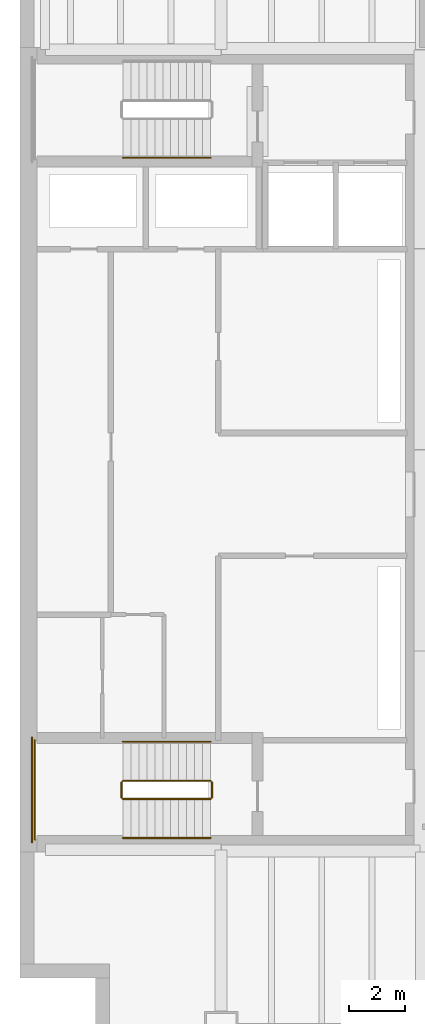
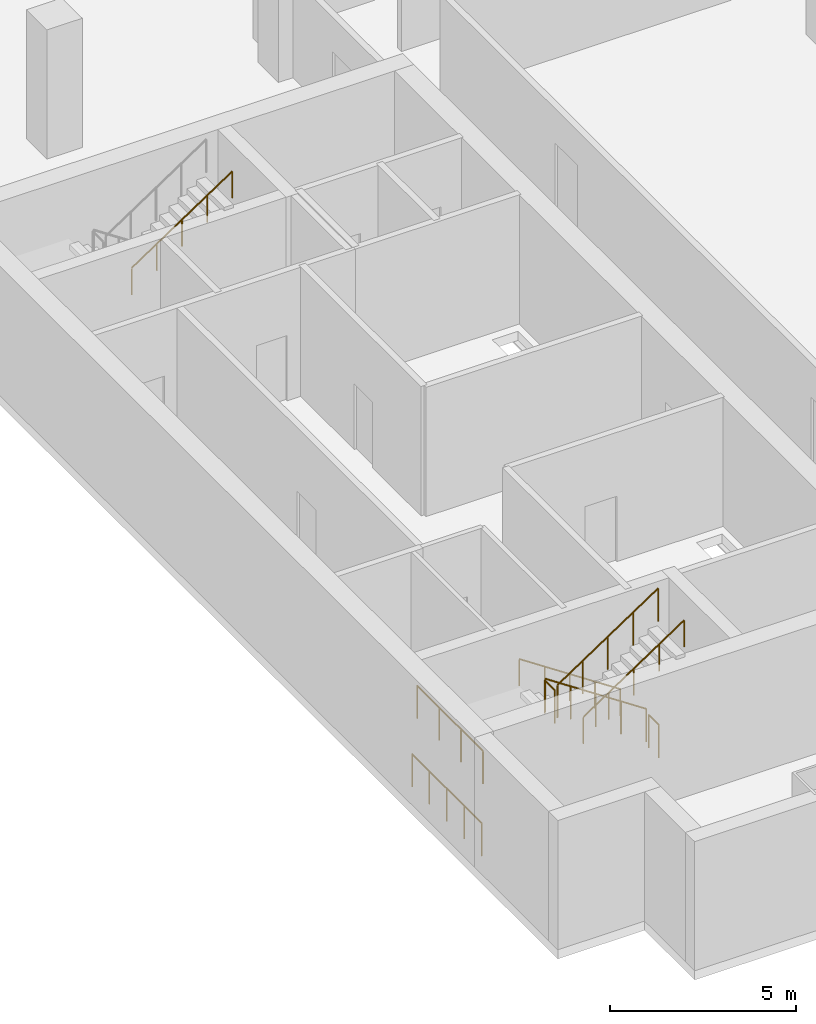
# One storey, part 9 of 11: 9 railings.
"""IFC4 building model written with IfcOpenShell, lengths in metres."""

from ifc_helpers import new_model, si_unit, direction, frame, origin, origin_2d, place, context, subcontext, project, spatial, circle, extrude, material, type_object, element, save


model = new_model("IFC4")

# Units and contexts
model_context = context("Model", 3, precision=1e-05, world=origin(), true_north=direction((0.0, 1.0)))
body_context = subcontext(model_context, "Body", "Model", "MODEL_VIEW")
ifc_project = project(units=[si_unit("LENGTHUNIT", "METRE"), si_unit("AREAUNIT", "SQUARE_METRE"), si_unit("VOLUMEUNIT", "CUBIC_METRE"), si_unit("PLANEANGLEUNIT", "RADIAN"), si_unit("MASSUNIT", "GRAM", prefix="KILO")], contexts=[model_context])

# Site, building, storey
site_placement = place(None, origin())
site = spatial("IfcSite", under=ifc_project, at=site_placement, CompositionType="ELEMENT")
building_placement = place(site_placement, origin())
building = spatial("IfcBuilding", under=site, at=building_placement, Name="Cobrela Telecom Tower", CompositionType="ELEMENT")
storey_placement = place(building_placement, frame((0.0, 0.0, -4.550048828125)))
storey = spatial("IfcBuildingStorey", under=building, at=storey_placement, Name="B1", CompositionType="ELEMENT", Elevation=-4.550048828125)

# Railings
ifc_material = material(Name="Steel ASTM A36", Category="steel")
railing_type_1 = type_object("IfcRailingType", Name="RAIL-GUARD-1100", PredefinedType="GUARDRAIL", material=ifc_material)
railing_1_placement = place(storey_placement, frame((6.820068359375, 9.75, 0.189697265625)))
element("IfcRailing", 1, at=railing_1_placement, inside=storey, type_object=railing_type_1, Name="B1 ST2 stair guard 1", PredefinedType="GUARDRAIL", context=body_context, shape_type="SweptSolid", body=[
    extrude(circle(Radius=0.02392578125, at=origin_2d()), frame((0.0, 0.0, 1.076171875), z_axis=(-0.832608492644, 0.0, 0.553861984593), x_axis=(0.0, -1.0, 0.0)), (0.0, 0.0, 1.0), 3.765380859375),
    extrude(circle(Radius=0.02099609375, at=origin_2d()), origin(), (0.0, 0.0, 1.0), 1.052001953125),
    extrude(circle(Radius=0.02099609375, at=origin_2d()), frame((-0.78369140625, 0.0, 0.521484375)), (0.0, 0.0, 1.0), 1.052001953125),
    extrude(circle(Radius=0.02099609375, at=origin_2d()), frame((-1.5673828125, 0.0, 1.042724609375)), (0.0, 0.0, 1.0), 1.052001953125),
    extrude(circle(Radius=0.02099609375, at=origin_2d()), frame((-2.351318359375, 0.0, 1.56396484375)), (0.0, 0.0, 1.0), 1.052001953125),
    extrude(circle(Radius=0.02099609375, at=origin_2d()), frame((-3.135009765625, 0.0, 2.08544921875)), (0.0, 0.0, 1.0), 1.052001953125),
])
railing_2_placement = place(storey_placement, frame((3.635009765625, 9.699951171875, 2.275146484375)))
element("IfcRailing", 2, at=railing_2_placement, inside=storey, type_object=railing_type_1, Name="B1 ST2 stair guard 2", PredefinedType="GUARDRAIL", context=body_context, shape_type="SweptSolid", body=[
    extrude(circle(Radius=0.02392578125, at=origin_2d()), frame((0.0, 0.0, 1.076171875), z_axis=(0.0, -1.0, 0.0), x_axis=(1.0, 0.0, 0.0)), (0.0, 0.0, 1.0), 0.550048828125),
    extrude(circle(Radius=0.02099609375, at=origin_2d()), origin(), (0.0, 0.0, 1.0), 1.052001953125),
    extrude(circle(Radius=0.02099609375, at=origin_2d()), frame((0.0, -0.550048828125, 0.0)), (0.0, 0.0, 1.0), 1.052001953125),
])
railing_3_placement = place(storey_placement, frame((0.530029296875, 11.199951171875, 2.275146484375)))
element("IfcRailing", 3, at=railing_3_placement, inside=storey, type_object=railing_type_1, Name="B1 ST2 stair guard 3", PredefinedType="GUARDRAIL", context=body_context, shape_type="SweptSolid", body=[
    extrude(circle(Radius=0.02392578125, at=origin_2d()), frame((0.0, 0.0, 1.076171875), z_axis=(0.0, -1.0, 0.0), x_axis=(1.0, 0.0, 0.0)), (0.0, 0.0, 1.0), 3.550048828125),
    extrude(circle(Radius=0.02099609375, at=origin_2d()), origin(), (0.0, 0.0, 1.0), 1.052001953125),
    extrude(circle(Radius=0.02099609375, at=origin_2d()), frame((0.0, -1.183349609375, 0.0)), (0.0, 0.0, 1.0), 1.052001953125),
    extrude(circle(Radius=0.02099609375, at=origin_2d()), frame((0.0, -2.36669921875, 0.0)), (0.0, 0.0, 1.0), 1.052001953125),
    extrude(circle(Radius=0.02099609375, at=origin_2d()), frame((0.0, -3.550048828125, 0.0)), (0.0, 0.0, 1.0), 1.052001953125),
])
railing_4_placement = place(storey_placement, frame((3.68505859375, 9.10009765625, 2.464599609375)))
element("IfcRailing", 4, at=railing_4_placement, inside=storey, type_object=railing_type_1, Name="B1 ST2 stair guard 4", PredefinedType="GUARDRAIL", context=body_context, shape_type="SweptSolid", body=[
    extrude(circle(Radius=0.02392578125, at=origin_2d()), frame((0.0, 0.0, 1.076171875), z_axis=(0.832608492644, 0.0, 0.553861984593), x_axis=(0.0, 1.0, 0.0)), (0.0, 0.0, 1.0), 3.765380859375),
    extrude(circle(Radius=0.02099609375, at=origin_2d()), origin(), (0.0, 0.0, 1.0), 1.052001953125),
    extrude(circle(Radius=0.02099609375, at=origin_2d()), frame((0.78369140625, 0.0, 0.521484375)), (0.0, 0.0, 1.0), 1.052001953125),
    extrude(circle(Radius=0.02099609375, at=origin_2d()), frame((1.5673828125, 0.0, 1.042724609375)), (0.0, 0.0, 1.0), 1.052001953125),
    extrude(circle(Radius=0.02099609375, at=origin_2d()), frame((2.351318359375, 0.0, 1.56396484375)), (0.0, 0.0, 1.0), 1.052001953125),
    extrude(circle(Radius=0.02099609375, at=origin_2d()), frame((3.135009765625, 0.0, 2.08544921875)), (0.0, 0.0, 1.0), 1.052001953125),
])
railing_5_placement = place(storey_placement, frame((6.8701171875, 9.699951171875, 0.0)))
element("IfcRailing", 5, at=railing_5_placement, inside=storey, type_object=railing_type_1, Name="B1 ST2 stair guard 5", PredefinedType="GUARDRAIL", context=body_context, shape_type="SweptSolid", body=[
    extrude(circle(Radius=0.02392578125, at=origin_2d()), frame((0.0, 0.0, 1.076171875), z_axis=(0.0, -1.0, 0.0), x_axis=(1.0, 0.0, 0.0)), (0.0, 0.0, 1.0), 0.550048828125),
    extrude(circle(Radius=0.02099609375, at=origin_2d()), origin(), (0.0, 0.0, 1.0), 1.052001953125),
    extrude(circle(Radius=0.02099609375, at=origin_2d()), frame((0.0, -0.550048828125, 0.0)), (0.0, 0.0, 1.0), 1.052001953125),
])
railing_6_placement = place(storey_placement, frame((0.429931640625, 11.300048828125, 0.0)))
element("IfcRailing", 6, at=railing_6_placement, inside=storey, type_object=railing_type_1, Name="B1 ST2 stair guard 6", PredefinedType="GUARDRAIL", context=body_context, shape_type="SweptSolid", body=[
    extrude(circle(Radius=0.02392578125, at=origin_2d()), frame((0.0, 0.0, 1.076171875), z_axis=(0.0, -1.0, 0.0), x_axis=(1.0, 0.0, 0.0)), (0.0, 0.0, 1.0), 3.75),
    extrude(circle(Radius=0.02099609375, at=origin_2d()), origin(), (0.0, 0.0, 1.0), 1.052001953125),
    extrude(circle(Radius=0.02099609375, at=origin_2d()), frame((0.0, -0.9375, 0.0)), (0.0, 0.0, 1.0), 1.052001953125),
    extrude(circle(Radius=0.02099609375, at=origin_2d()), frame((0.0, -1.875, 0.0)), (0.0, 0.0, 1.0), 1.052001953125),
    extrude(circle(Radius=0.02099609375, at=origin_2d()), frame((0.0, -2.8125, 0.0)), (0.0, 0.0, 1.0), 1.052001953125),
    extrude(circle(Radius=0.02099609375, at=origin_2d()), frame((0.0, -3.75, 0.0)), (0.0, 0.0, 1.0), 1.052001953125),
])
railing_type_2 = type_object("IfcRailingType", Name="RAIL-HAND-920", PredefinedType="HANDRAIL", material=ifc_material)
railing_7_placement = place(storey_placement, frame((3.68505859375, 32.050048828125, 2.464599609375)))
element("IfcRailing", 7, at=railing_7_placement, inside=storey, type_object=railing_type_2, Name="B1 ST1 stair handrail 2", PredefinedType="HANDRAIL", context=body_context, shape_type="SweptSolid", body=[
    extrude(circle(Radius=0.02392578125, at=origin_2d()), frame((0.0, 0.0, 0.8759765625), z_axis=(0.832608492644, 0.0, 0.553861984593), x_axis=(0.0, 1.0, 0.0)), (0.0, 0.0, 1.0), 3.765380859375),
    extrude(circle(Radius=0.02099609375, at=origin_2d()), origin(), (0.0, 0.0, 1.0), 0.851806640625),
    extrude(circle(Radius=0.02099609375, at=origin_2d()), frame((0.78369140625, 0.0, 0.521484375)), (0.0, 0.0, 1.0), 0.851806640625),
    extrude(circle(Radius=0.02099609375, at=origin_2d()), frame((1.5673828125, 0.0, 1.042724609375)), (0.0, 0.0, 1.0), 0.851806640625),
    extrude(circle(Radius=0.02099609375, at=origin_2d()), frame((2.351318359375, 0.0, 1.56396484375)), (0.0, 0.0, 1.0), 0.851806640625),
    extrude(circle(Radius=0.02099609375, at=origin_2d()), frame((3.135009765625, 0.0, 2.08544921875)), (0.0, 0.0, 1.0), 0.851806640625),
])
railing_8_placement = place(storey_placement, frame((6.820068359375, 11.14990234375, 0.189697265625)))
element("IfcRailing", 8, at=railing_8_placement, inside=storey, type_object=railing_type_2, Name="B1 ST2 stair handrail 1", PredefinedType="HANDRAIL", context=body_context, shape_type="SweptSolid", body=[
    extrude(circle(Radius=0.02392578125, at=origin_2d()), frame((0.0, 0.0, 0.8759765625), z_axis=(-0.832608492644, 0.0, 0.553861984593), x_axis=(0.0, -1.0, 0.0)), (0.0, 0.0, 1.0), 3.765380859375),
    extrude(circle(Radius=0.02099609375, at=origin_2d()), origin(), (0.0, 0.0, 1.0), 0.851806640625),
    extrude(circle(Radius=0.02099609375, at=origin_2d()), frame((-0.78369140625, 0.0, 0.521484375)), (0.0, 0.0, 1.0), 0.851806640625),
    extrude(circle(Radius=0.02099609375, at=origin_2d()), frame((-1.5673828125, 0.0, 1.042724609375)), (0.0, 0.0, 1.0), 0.851806640625),
    extrude(circle(Radius=0.02099609375, at=origin_2d()), frame((-2.351318359375, 0.0, 1.56396484375)), (0.0, 0.0, 1.0), 0.851806640625),
    extrude(circle(Radius=0.02099609375, at=origin_2d()), frame((-3.135009765625, 0.0, 2.08544921875)), (0.0, 0.0, 1.0), 0.851806640625),
])
railing_9_placement = place(storey_placement, frame((3.68505859375, 7.699951171875, 2.464599609375)))
element("IfcRailing", 9, at=railing_9_placement, inside=storey, type_object=railing_type_2, Name="B1 ST2 stair handrail 2", PredefinedType="HANDRAIL", context=body_context, shape_type="SweptSolid", body=[
    extrude(circle(Radius=0.02392578125, at=origin_2d()), frame((0.0, 0.0, 0.8759765625), z_axis=(0.832608492644, 0.0, 0.553861984593), x_axis=(0.0, 1.0, 0.0)), (0.0, 0.0, 1.0), 3.765380859375),
    extrude(circle(Radius=0.02099609375, at=origin_2d()), origin(), (0.0, 0.0, 1.0), 0.851806640625),
    extrude(circle(Radius=0.02099609375, at=origin_2d()), frame((0.78369140625, 0.0, 0.521484375)), (0.0, 0.0, 1.0), 0.851806640625),
    extrude(circle(Radius=0.02099609375, at=origin_2d()), frame((1.5673828125, 0.0, 1.042724609375)), (0.0, 0.0, 1.0), 0.851806640625),
    extrude(circle(Radius=0.02099609375, at=origin_2d()), frame((2.351318359375, 0.0, 1.56396484375)), (0.0, 0.0, 1.0), 0.851806640625),
    extrude(circle(Radius=0.02099609375, at=origin_2d()), frame((3.135009765625, 0.0, 2.08544921875)), (0.0, 0.0, 1.0), 0.851806640625),
])

save(model, "model.ifc")
